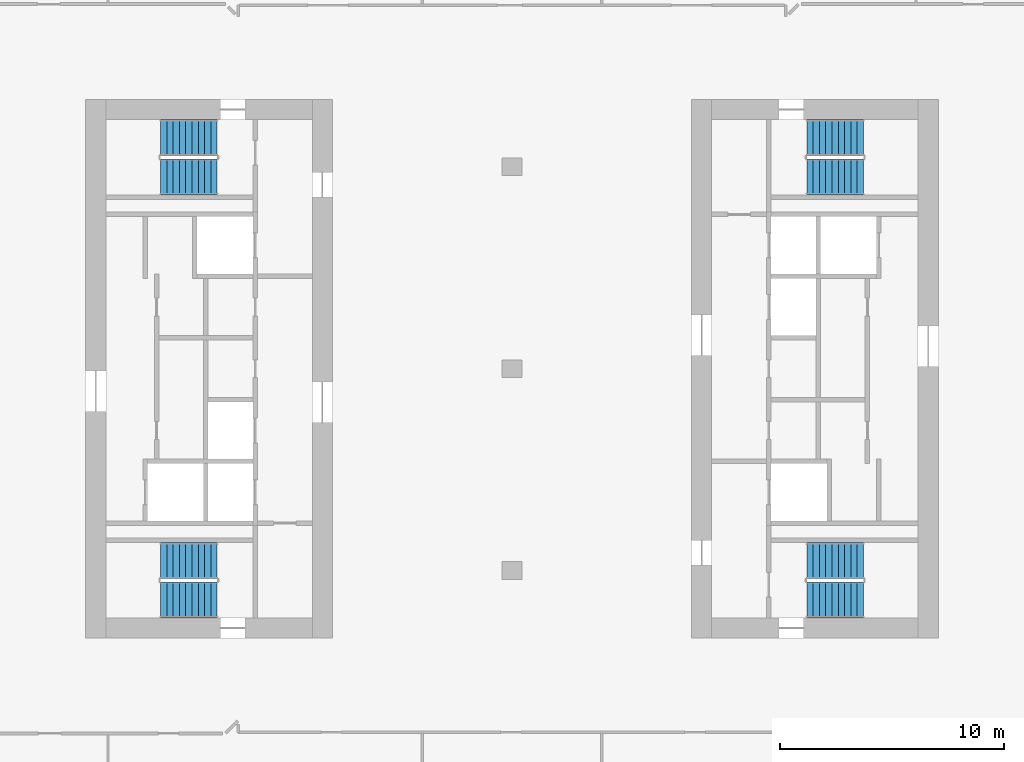
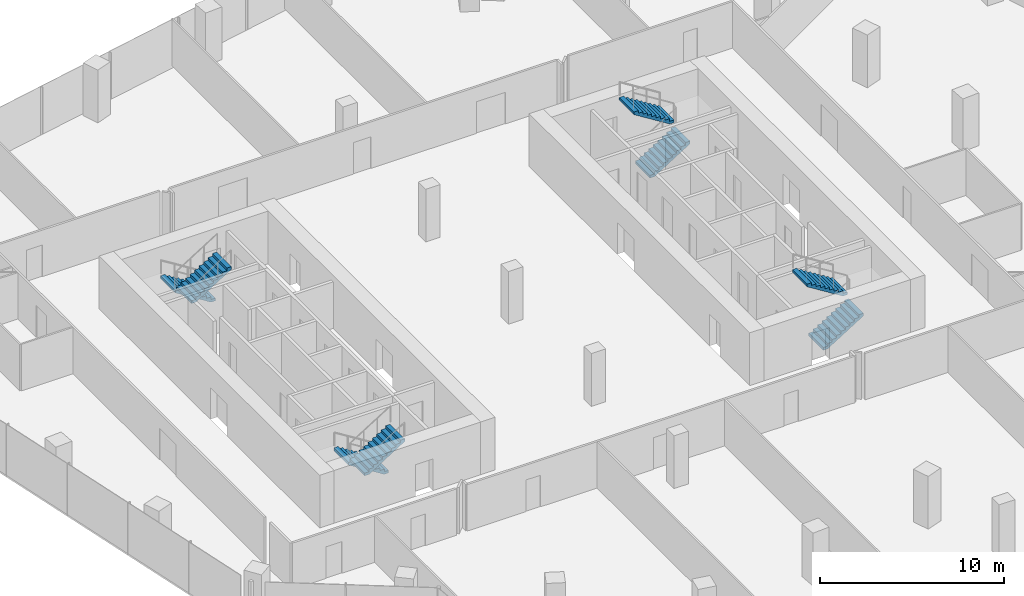
# One storey, part 21 of 24: 8 stair flights, 4 elements without a shape of their own.
"""IFC4 building model written with IfcOpenShell, lengths in metres."""

from ifc_helpers import new_model, si_unit, direction, frame, origin, place, context, subcontext, project, spatial, polyline, outline, extrude, material, type_object, element, aggregate, save


model = new_model("IFC4")

# Units and contexts
model_context = context("Model", 3, precision=1e-05, world=origin(), true_north=direction((0.0, 1.0)))
body_context = subcontext(model_context, "Body", "Model", "MODEL_VIEW")
ifc_project = project(units=[si_unit("LENGTHUNIT", "METRE"), si_unit("AREAUNIT", "SQUARE_METRE"), si_unit("VOLUMEUNIT", "CUBIC_METRE"), si_unit("PLANEANGLEUNIT", "RADIAN"), si_unit("MASSUNIT", "GRAM", prefix="KILO")], contexts=[model_context])

# Site, building, storey
site_placement = place(None, origin())
site = spatial("IfcSite", under=ifc_project, at=site_placement, CompositionType="ELEMENT")
building_placement = place(site_placement, origin())
building = spatial("IfcBuilding", under=site, at=building_placement, Name="Orlundy Tower", CompositionType="ELEMENT")
storey_placement = place(building_placement, frame((0.0, 0.0, 235.5)))
storey = spatial("IfcBuildingStorey", under=building, at=storey_placement, Name="L62", CompositionType="ELEMENT", Elevation=235.5)

# Stair, stair flights
ifc_material_1 = material(Name="Concrete C50/60", Category="concrete")
stair_type = type_object("IfcStairType", Name="Exit Stair 20 risers", PredefinedType="HALF_TURN_STAIR", material=ifc_material_1)
stair_1_placement = place(storey_placement, origin())
stair_1 = element("IfcStair", 1, at=stair_1_placement, inside=storey, type_object=stair_type, Name="L62 Exit Stair ST-W1", PredefinedType="HALF_TURN_STAIR")
ifc_material_2 = material(Name="Concrete C50/60", Category="concrete")
stair_flight_type = type_object("IfcStairFlightType", Name="Stair Flight 10 risers", PredefinedType="STRAIGHT", material=ifc_material_2)
stair_flight_1_placement = place(storey_placement, frame((-13.139892578125, 10.300048828125, 0.0), z_axis=(0.0, 0.0, 1.0), x_axis=(-1.0, 0.0, 0.0)))
stair_flight_1 = element("IfcStairFlight", 2, at=stair_flight_1_placement, type_object=stair_flight_type, Name="ST-W1 flight 1", NumberOfRisers=10, NumberOfTreads=9, PredefinedType="STRAIGHT", RiserHeight=0.175, TreadLength=0.28, context=body_context, shape_type="SweptSolid", body=[
    extrude(outline(polyline([(0.0, 0.0), (0.0, 0.175048828125), (0.280029296875, 0.175048828125), (0.280029296875, 0.35009765625), (0.56005859375, 0.35009765625), (0.56005859375, 0.52490234375), (0.840087890625, 0.52490234375), (0.840087890625, 0.699951171875), (1.1201171875, 0.699951171875), (1.1201171875, 0.875), (1.39990234375, 0.875), (1.39990234375, 1.050048828125), (1.679931640625, 1.050048828125), (1.679931640625, 1.22509765625), (1.9599609375, 1.22509765625), (1.9599609375, 1.39990234375), (2.239990234375, 1.39990234375), (2.239990234375, 1.574951171875), (2.52001953125, 1.574951171875), (2.52001953125, 1.75), (2.52001953125, 1.398193359375), (0.28271484375, 0.0), (0.0, 0.0)])), frame((0.0, 0.800048828125, 0.0), z_axis=(0.0, -1.0, 0.0), x_axis=(1.0, 0.0, 0.0)), (0.0, 0.0, 1.0), 1.60009765625),
])
stair_flight_2_placement = place(storey_placement, frame((-15.659912109375, 8.550048828125, 1.75), z_axis=(0.0, 0.0, 1.0), x_axis=(1.0, 0.0, 0.0)))
stair_flight_2 = element("IfcStairFlight", 3, at=stair_flight_2_placement, type_object=stair_flight_type, Name="ST-W1 flight 2", NumberOfRisers=10, NumberOfTreads=9, PredefinedType="STRAIGHT", RiserHeight=0.175, TreadLength=0.28, context=body_context, shape_type="SweptSolid", body=[
    extrude(outline(polyline([(0.0, 0.0), (0.0, 0.175048828125), (0.280029296875, 0.175048828125), (0.280029296875, 0.35009765625), (0.56005859375, 0.35009765625), (0.56005859375, 0.52490234375), (0.840087890625, 0.52490234375), (0.840087890625, 0.699951171875), (1.1201171875, 0.699951171875), (1.1201171875, 0.875), (1.39990234375, 0.875), (1.39990234375, 1.050048828125), (1.679931640625, 1.050048828125), (1.679931640625, 1.22509765625), (1.9599609375, 1.22509765625), (1.9599609375, 1.39990234375), (2.239990234375, 1.39990234375), (2.239990234375, 1.574951171875), (2.52001953125, 1.574951171875), (2.52001953125, 1.75), (2.52001953125, 1.398193359375), (0.28271484375, 0.0), (0.0, 0.0)])), frame((0.0, 0.800048828125, 0.0), z_axis=(0.0, -1.0, 0.0), x_axis=(1.0, 0.0, 0.0)), (0.0, 0.0, 1.0), 1.60009765625),
])
aggregate(stair_1, [stair_flight_1, stair_flight_2])

stair_2_placement = place(storey_placement, origin())
stair_2 = element("IfcStair", 4, at=stair_2_placement, inside=storey, type_object=stair_type, Name="L62 Exit Stair ST-W2", PredefinedType="HALF_TURN_STAIR")
stair_flight_3_placement = place(storey_placement, frame((-13.139892578125, -8.550048828125, 0.0), z_axis=(0.0, 0.0, 1.0), x_axis=(-1.0, 0.0, 0.0)))
stair_flight_3 = element("IfcStairFlight", 5, at=stair_flight_3_placement, type_object=stair_flight_type, Name="ST-W2 flight 1", NumberOfRisers=10, NumberOfTreads=9, PredefinedType="STRAIGHT", RiserHeight=0.175, TreadLength=0.28, context=body_context, shape_type="SweptSolid", body=[
    extrude(outline(polyline([(0.0, 0.0), (0.0, 0.175048828125), (0.280029296875, 0.175048828125), (0.280029296875, 0.35009765625), (0.56005859375, 0.35009765625), (0.56005859375, 0.52490234375), (0.840087890625, 0.52490234375), (0.840087890625, 0.699951171875), (1.1201171875, 0.699951171875), (1.1201171875, 0.875), (1.39990234375, 0.875), (1.39990234375, 1.050048828125), (1.679931640625, 1.050048828125), (1.679931640625, 1.22509765625), (1.9599609375, 1.22509765625), (1.9599609375, 1.39990234375), (2.239990234375, 1.39990234375), (2.239990234375, 1.574951171875), (2.52001953125, 1.574951171875), (2.52001953125, 1.75), (2.52001953125, 1.398193359375), (0.28271484375, 0.0), (0.0, 0.0)])), frame((0.0, 0.800048828125, 0.0), z_axis=(0.0, -1.0, 0.0), x_axis=(1.0, 0.0, 0.0)), (0.0, 0.0, 1.0), 1.60009765625),
])
stair_flight_4_placement = place(storey_placement, frame((-15.659912109375, -10.300048828125, 1.75), z_axis=(0.0, 0.0, 1.0), x_axis=(1.0, 0.0, 0.0)))
stair_flight_4 = element("IfcStairFlight", 6, at=stair_flight_4_placement, type_object=stair_flight_type, Name="ST-W2 flight 2", NumberOfRisers=10, NumberOfTreads=9, PredefinedType="STRAIGHT", RiserHeight=0.175, TreadLength=0.28, context=body_context, shape_type="SweptSolid", body=[
    extrude(outline(polyline([(0.0, 0.0), (0.0, 0.175048828125), (0.280029296875, 0.175048828125), (0.280029296875, 0.35009765625), (0.56005859375, 0.35009765625), (0.56005859375, 0.52490234375), (0.840087890625, 0.52490234375), (0.840087890625, 0.699951171875), (1.1201171875, 0.699951171875), (1.1201171875, 0.875), (1.39990234375, 0.875), (1.39990234375, 1.050048828125), (1.679931640625, 1.050048828125), (1.679931640625, 1.22509765625), (1.9599609375, 1.22509765625), (1.9599609375, 1.39990234375), (2.239990234375, 1.39990234375), (2.239990234375, 1.574951171875), (2.52001953125, 1.574951171875), (2.52001953125, 1.75), (2.52001953125, 1.398193359375), (0.28271484375, 0.0), (0.0, 0.0)])), frame((0.0, 0.800048828125, 0.0), z_axis=(0.0, -1.0, 0.0), x_axis=(1.0, 0.0, 0.0)), (0.0, 0.0, 1.0), 1.60009765625),
])
aggregate(stair_2, [stair_flight_3, stair_flight_4])

stair_3_placement = place(storey_placement, origin())
stair_3 = element("IfcStair", 7, at=stair_3_placement, inside=storey, type_object=stair_type, Name="L62 Exit Stair ST-E1", PredefinedType="HALF_TURN_STAIR")
stair_flight_5_placement = place(storey_placement, frame((13.139892578125, -10.300048828125, 0.0), z_axis=(0.0, 0.0, 1.0), x_axis=(1.0, 0.0, 0.0)))
stair_flight_5 = element("IfcStairFlight", 8, at=stair_flight_5_placement, type_object=stair_flight_type, Name="ST-E1 flight 1", NumberOfRisers=10, NumberOfTreads=9, PredefinedType="STRAIGHT", RiserHeight=0.175, TreadLength=0.28, context=body_context, shape_type="SweptSolid", body=[
    extrude(outline(polyline([(0.0, 0.0), (0.0, 0.175048828125), (0.280029296875, 0.175048828125), (0.280029296875, 0.35009765625), (0.56005859375, 0.35009765625), (0.56005859375, 0.52490234375), (0.840087890625, 0.52490234375), (0.840087890625, 0.699951171875), (1.1201171875, 0.699951171875), (1.1201171875, 0.875), (1.39990234375, 0.875), (1.39990234375, 1.050048828125), (1.679931640625, 1.050048828125), (1.679931640625, 1.22509765625), (1.9599609375, 1.22509765625), (1.9599609375, 1.39990234375), (2.239990234375, 1.39990234375), (2.239990234375, 1.574951171875), (2.52001953125, 1.574951171875), (2.52001953125, 1.75), (2.52001953125, 1.398193359375), (0.28271484375, 0.0), (0.0, 0.0)])), frame((0.0, 0.800048828125, 0.0), z_axis=(0.0, -1.0, 0.0), x_axis=(1.0, 0.0, 0.0)), (0.0, 0.0, 1.0), 1.60009765625),
])
stair_flight_6_placement = place(storey_placement, frame((15.659912109375, -8.550048828125, 1.75), z_axis=(0.0, 0.0, 1.0), x_axis=(-1.0, 0.0, 0.0)))
stair_flight_6 = element("IfcStairFlight", 9, at=stair_flight_6_placement, type_object=stair_flight_type, Name="ST-E1 flight 2", NumberOfRisers=10, NumberOfTreads=9, PredefinedType="STRAIGHT", RiserHeight=0.175, TreadLength=0.28, context=body_context, shape_type="SweptSolid", body=[
    extrude(outline(polyline([(0.0, 0.0), (0.0, 0.175048828125), (0.280029296875, 0.175048828125), (0.280029296875, 0.35009765625), (0.56005859375, 0.35009765625), (0.56005859375, 0.52490234375), (0.840087890625, 0.52490234375), (0.840087890625, 0.699951171875), (1.1201171875, 0.699951171875), (1.1201171875, 0.875), (1.39990234375, 0.875), (1.39990234375, 1.050048828125), (1.679931640625, 1.050048828125), (1.679931640625, 1.22509765625), (1.9599609375, 1.22509765625), (1.9599609375, 1.39990234375), (2.239990234375, 1.39990234375), (2.239990234375, 1.574951171875), (2.52001953125, 1.574951171875), (2.52001953125, 1.75), (2.52001953125, 1.398193359375), (0.28271484375, 0.0), (0.0, 0.0)])), frame((0.0, 0.800048828125, 0.0), z_axis=(0.0, -1.0, 0.0), x_axis=(1.0, 0.0, 0.0)), (0.0, 0.0, 1.0), 1.60009765625),
])
aggregate(stair_3, [stair_flight_5, stair_flight_6])

stair_4_placement = place(storey_placement, origin())
stair_4 = element("IfcStair", 10, at=stair_4_placement, inside=storey, type_object=stair_type, Name="L62 Exit Stair ST-E2", PredefinedType="HALF_TURN_STAIR")
stair_flight_7_placement = place(storey_placement, frame((13.139892578125, 8.550048828125, 0.0), z_axis=(0.0, 0.0, 1.0), x_axis=(1.0, 0.0, 0.0)))
stair_flight_7 = element("IfcStairFlight", 11, at=stair_flight_7_placement, type_object=stair_flight_type, Name="ST-E2 flight 1", NumberOfRisers=10, NumberOfTreads=9, PredefinedType="STRAIGHT", RiserHeight=0.175, TreadLength=0.28, context=body_context, shape_type="SweptSolid", body=[
    extrude(outline(polyline([(0.0, 0.0), (0.0, 0.175048828125), (0.280029296875, 0.175048828125), (0.280029296875, 0.35009765625), (0.56005859375, 0.35009765625), (0.56005859375, 0.52490234375), (0.840087890625, 0.52490234375), (0.840087890625, 0.699951171875), (1.1201171875, 0.699951171875), (1.1201171875, 0.875), (1.39990234375, 0.875), (1.39990234375, 1.050048828125), (1.679931640625, 1.050048828125), (1.679931640625, 1.22509765625), (1.9599609375, 1.22509765625), (1.9599609375, 1.39990234375), (2.239990234375, 1.39990234375), (2.239990234375, 1.574951171875), (2.52001953125, 1.574951171875), (2.52001953125, 1.75), (2.52001953125, 1.398193359375), (0.28271484375, 0.0), (0.0, 0.0)])), frame((0.0, 0.800048828125, 0.0), z_axis=(0.0, -1.0, 0.0), x_axis=(1.0, 0.0, 0.0)), (0.0, 0.0, 1.0), 1.60009765625),
])
stair_flight_8_placement = place(storey_placement, frame((15.659912109375, 10.300048828125, 1.75), z_axis=(0.0, 0.0, 1.0), x_axis=(-1.0, 0.0, 0.0)))
stair_flight_8 = element("IfcStairFlight", 12, at=stair_flight_8_placement, type_object=stair_flight_type, Name="ST-E2 flight 2", NumberOfRisers=10, NumberOfTreads=9, PredefinedType="STRAIGHT", RiserHeight=0.175, TreadLength=0.28, context=body_context, shape_type="SweptSolid", body=[
    extrude(outline(polyline([(0.0, 0.0), (0.0, 0.175048828125), (0.280029296875, 0.175048828125), (0.280029296875, 0.35009765625), (0.56005859375, 0.35009765625), (0.56005859375, 0.52490234375), (0.840087890625, 0.52490234375), (0.840087890625, 0.699951171875), (1.1201171875, 0.699951171875), (1.1201171875, 0.875), (1.39990234375, 0.875), (1.39990234375, 1.050048828125), (1.679931640625, 1.050048828125), (1.679931640625, 1.22509765625), (1.9599609375, 1.22509765625), (1.9599609375, 1.39990234375), (2.239990234375, 1.39990234375), (2.239990234375, 1.574951171875), (2.52001953125, 1.574951171875), (2.52001953125, 1.75), (2.52001953125, 1.398193359375), (0.28271484375, 0.0), (0.0, 0.0)])), frame((0.0, 0.800048828125, 0.0), z_axis=(0.0, -1.0, 0.0), x_axis=(1.0, 0.0, 0.0)), (0.0, 0.0, 1.0), 1.60009765625),
])
aggregate(stair_4, [stair_flight_7, stair_flight_8])

save(model, "model.ifc")
